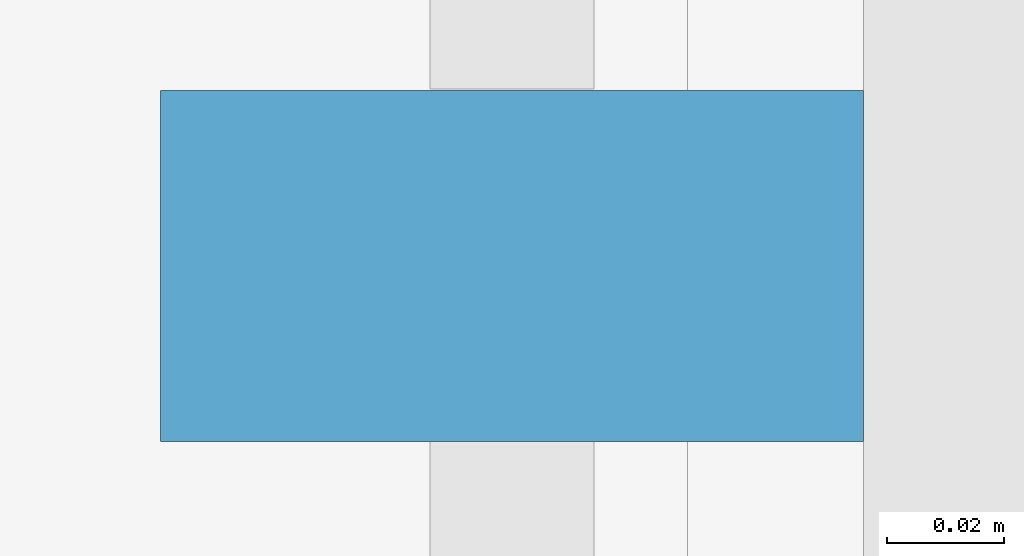
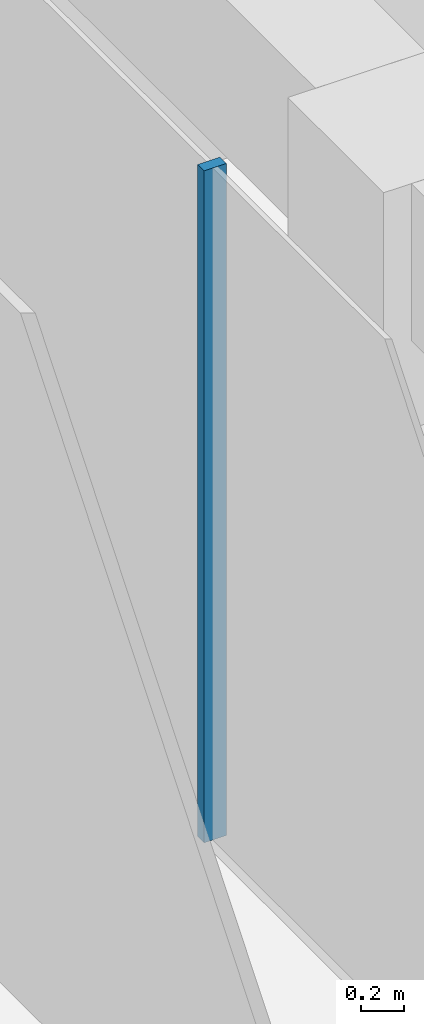
# One storey, part 12 of 23: 1 member, 1 element without a shape of its own.
"""IFC4 building model written with IfcOpenShell, lengths in metres."""

from ifc_helpers import new_model, si_unit, direction, frame, origin, origin_2d, place, context, subcontext, project, spatial, rectangle, extrude, material, layer, layer_set, material_profile, profile_set, type_object, element, aggregate, save


model = new_model("IFC4")

# Units and contexts
model_context = context("Model", 3, precision=1e-05, world=origin(), true_north=direction((0.0, 1.0)))
body_context = subcontext(model_context, "Body", "Model", "MODEL_VIEW")
ifc_project = project(units=[si_unit("LENGTHUNIT", "METRE"), si_unit("AREAUNIT", "SQUARE_METRE"), si_unit("VOLUMEUNIT", "CUBIC_METRE"), si_unit("PLANEANGLEUNIT", "RADIAN"), si_unit("MASSUNIT", "GRAM", prefix="KILO")], contexts=[model_context])

# Site, building, storey
site_placement = place(None, origin())
site = spatial("IfcSite", under=ifc_project, at=site_placement, CompositionType="ELEMENT")
building_placement = place(site_placement, origin())
building = spatial("IfcBuilding", under=site, at=building_placement, Name="Welwitschia Terrace Campus", CompositionType="ELEMENT")
storey_placement = place(building_placement, frame((0.0, 0.0, 113.0)))
storey = spatial("IfcBuildingStorey", under=building, at=storey_placement, Name="L25", CompositionType="ELEMENT", Elevation=113.0)

# Curtain wall, member
ifc_material_1 = material(Name="Bronze anodised aluminium", Category="aluminium")
ifc_layer = layer(ifc_material_1, 0.1201171875)
ifc_layer_set = layer_set([ifc_layer], Name="Bronze anodised aluminium")
curtain_wall_type = type_object("IfcCurtainWallType", Name="Curtain wall CW2 tower 6000", PredefinedType="NOTDEFINED", material=ifc_layer_set)
curtain_wall_placement = place(storey_placement, origin())
curtain_wall = element("IfcCurtainWall", 1, at=curtain_wall_placement, inside=storey, type_object=curtain_wall_type, Name="CW L25.1.0", PredefinedType="NOTDEFINED")
ifc_material_2 = material(Name="Bronze anodised aluminium", Category="aluminium")
ifc_material_profile = material_profile(ifc_material_2, rectangle(XDim=0.1201171875, YDim=0.06005859375, at=origin_2d()))
ifc_profile_set = profile_set([ifc_material_profile], Name="Bronze anodised aluminium")
member_type = type_object("IfcMemberType", Name="Mullion 60x120", PredefinedType="MULLION", material=ifc_profile_set)
member_placement = place(storey_placement, frame((-1.030029296875, 52.15673828125, 0.0), z_axis=(0.0, 0.0, 1.0), x_axis=(1.0, 0.0, 0.0)))
member = element("IfcMember", 2, at=member_placement, type_object=member_type, Name="Mullion L25.1.0.3", PredefinedType="MULLION", context=body_context, shape_type="SweptSolid", body=[
    extrude(rectangle(XDim=0.1201171875, YDim=0.06005859375, at=origin_2d()), origin(), (0.0, 0.0, 1.0), 3.85009765625),
])
aggregate(curtain_wall, [member])

save(model, "model.ifc")
